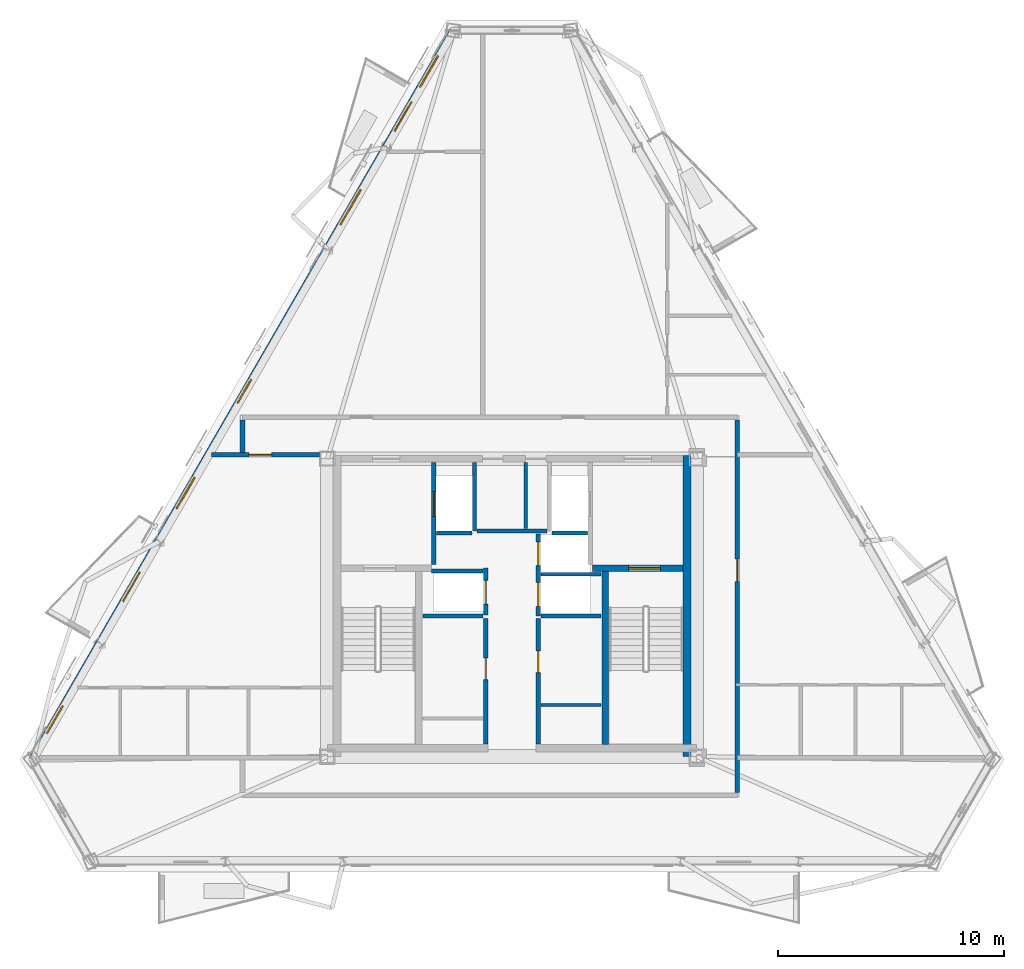
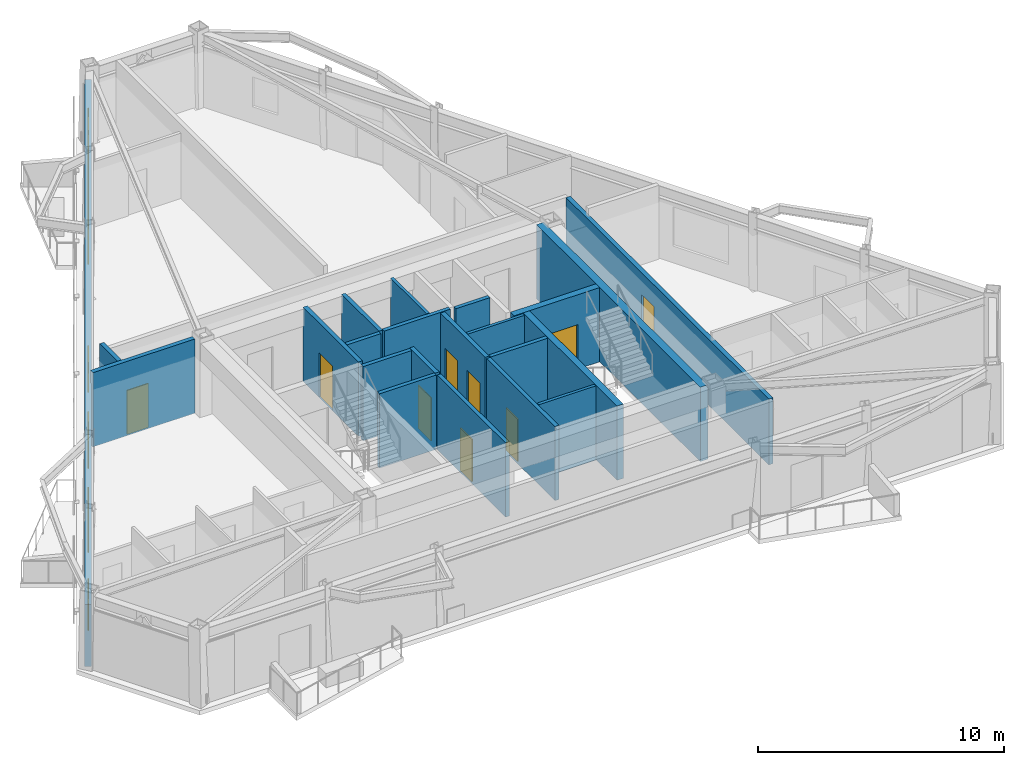
# One storey, part 3 of 9: 22 walls, 11 doors, 5 windows, 16 openings.
"""IFC4 building model written with IfcOpenShell, lengths in metres."""

import ifcopenshell
import ifcopenshell.guid

model = None  # the IFC model being written
_history = None  # IfcOwnerHistory: only IFC2X3 demands one
_inside = {}  # id of a spatial element -> (the spatial element, [elements in it])
_under = {}  # id of a project, library or spatial element -> (it, [spatial elements below it])
_declared = {}  # id of a project -> (the project, [libraries it declares])
_typed = {}  # id of a type object -> (the type object, [elements of that type])
_made_of = {}  # id of a material, layer set ... -> (it, [elements and type objects made of it])


def new_model(schema):
    """Start an empty IFC model of exactly this schema.

    Asked for "IFC4X3", IfcOpenShell would pick the latest addendum, in which some entities
    have other attributes; the version numbers below select the first issue.
    IFC2X3 requires an IfcOwnerHistory on every rooted entity: one is made here for all.
    """
    global model, _history
    if schema == "IFC4X3":
        model = ifcopenshell.file(schema_version=(4, 3, 0, 0))
    else:
        model = ifcopenshell.file(schema=schema)
    _inside.clear()
    _under.clear()
    _declared.clear()
    _typed.clear()
    _made_of.clear()
    _history = None
    if model.schema == "IFC2X3":
        org = make("IfcOrganization", Name="unknown")
        user = make(
            "IfcPersonAndOrganization",
            ThePerson=make("IfcPerson", FamilyName="unknown"),
            TheOrganization=org,
        )
        app = make(
            "IfcApplication",
            ApplicationDeveloper=org,
            Version="unknown",
            ApplicationFullName="unknown",
            ApplicationIdentifier="unknown",
        )
        _history = make(
            "IfcOwnerHistory",
            OwningUser=user,
            OwningApplication=app,
            ChangeAction="ADDED",
            CreationDate=0,
        )
    return model


def make(cls, **values):
    """One entity of the class cls with the attributes given. An attribute that is None is left unset."""
    return model.create_entity(
        cls, **{name: value for name, value in values.items() if value is not None}
    )


def rooted(cls, **values):
    """An entity with a GlobalId (a new one), such as an element, a storey or a relation."""
    return make(cls, GlobalId=ifcopenshell.guid.new(), OwnerHistory=_history, **values)


def si_unit(unit_type, name, prefix=None):
    """IfcSIUnit, for example si_unit("LENGTHUNIT", "METRE", prefix="MILLI")."""
    return make("IfcSIUnit", UnitType=unit_type, Prefix=prefix, Name=name)


def assignment(units):
    """IfcUnitAssignment: the units of a project."""
    return None if units is None else make("IfcUnitAssignment", Units=units)


def point(xyz):
    """IfcCartesianPoint."""
    return None if xyz is None else make("IfcCartesianPoint", Coordinates=xyz)


def direction(xyz):
    """IfcDirection."""
    return None if xyz is None else make("IfcDirection", DirectionRatios=xyz)


def frame(location, z_axis=None, x_axis=None):
    """IfcAxis2Placement3D, a coordinate frame: its origin and axes. An axis left out is left unset."""
    return make(
        "IfcAxis2Placement3D",
        Location=point(location),
        Axis=direction(z_axis),
        RefDirection=direction(x_axis),
    )


def frame_2d(location, x_axis=None):
    """IfcAxis2Placement2D, a coordinate frame in the plane: its origin and x axis."""
    return make(
        "IfcAxis2Placement2D", Location=point(location), RefDirection=direction(x_axis)
    )


def origin():
    """The frame at (0, 0, 0) with its axes left unset."""
    return frame((0.0, 0.0, 0.0))


def place(relative_to, where):
    """IfcLocalPlacement: puts the frame where relative to a parent placement (None: the world)."""
    return make(
        "IfcLocalPlacement", PlacementRelTo=relative_to, RelativePlacement=where
    )


def context(
    kind, dimensions, precision=None, world=None, true_north=None, identifier=None
):
    """IfcGeometricRepresentationContext, for example the 3D "Model" context."""
    return make(
        "IfcGeometricRepresentationContext",
        ContextIdentifier=identifier,
        ContextType=kind,
        CoordinateSpaceDimension=dimensions,
        Precision=precision,
        WorldCoordinateSystem=world,
        TrueNorth=true_north,
    )


def subcontext(parent, identifier, kind, view, scale=None):
    """IfcGeometricRepresentationSubContext, for example "Body" below "Model"."""
    return make(
        "IfcGeometricRepresentationSubContext",
        ContextIdentifier=identifier,
        ContextType=kind,
        ParentContext=parent,
        TargetScale=scale,
        TargetView=view,
    )


def project(units=None, contexts=None):
    """IfcProject with its units and contexts."""
    return rooted(
        "IfcProject",
        Name="project",
        RepresentationContexts=contexts,
        UnitsInContext=assignment(units),
    )


def spatial(cls, under=None, at=None, **own):
    """A site, building, storey or space (cls), placed at a placement, below another one or the project."""
    s = rooted(cls, ObjectPlacement=at, **own)
    if under is not None:
        _under.setdefault(under.id(), (under, []))[1].append(s)
    return s


def profile(cls, at=None, kind="AREA", **sizes):
    """A parametric profile (cls). Its sizes go by their IFC names, for example OverallWidth=200.0."""
    return make(cls, ProfileType=kind, Position=at, **sizes)


def rectangle(**sizes):
    """IfcRectangleProfileDef."""
    return profile("IfcRectangleProfileDef", **sizes)


def extrude(swept, where, along, depth):
    """IfcExtrudedAreaSolid: the profile swept, set in the frame where, extruded along a direction by depth."""
    return make(
        "IfcExtrudedAreaSolid",
        SweptArea=swept,
        Position=where,
        ExtrudedDirection=direction(along),
        Depth=depth,
    )


def shape(context_of_items, identifier, shape_type, items):
    """IfcShapeRepresentation: the items that make up one representation, for example the "Body"."""
    return make(
        "IfcShapeRepresentation",
        ContextOfItems=context_of_items,
        RepresentationIdentifier=identifier,
        RepresentationType=shape_type,
        Items=items,
    )


def material(Name=None, Category=None):
    """IfcMaterial."""
    return make("IfcMaterial", Name=Name, Category=Category)


def layer(
    of_material, thickness, ventilated=None, Name=None, Category=None, Priority=None
):
    """IfcMaterialLayer: one layer of a wall or slab, of a material (None: an air gap)."""
    return make(
        "IfcMaterialLayer",
        Material=of_material,
        LayerThickness=thickness,
        IsVentilated=ventilated,
        Name=Name,
        Category=Category,
        Priority=Priority,
    )


def layer_set(layers, Name=None):
    """IfcMaterialLayerSet."""
    return make("IfcMaterialLayerSet", MaterialLayers=layers, LayerSetName=Name)


def made_of(thing, what):
    """Note that an element or type object is made of a material, layer set ...; save() writes the relation."""
    if what is not None:
        _made_of.setdefault(what.id(), (what, []))[1].append(thing)
    return thing


def type_object(cls, material=None, **own):
    """A type object (cls), such as IfcWallType, which elements share."""
    return made_of(rooted(cls, **own), material)


def element(
    cls,
    number,
    at=None,
    inside=None,
    cuts=None,
    type_object=None,
    material=None,
    context=None,
    identifier="Body",
    shape_type=None,
    held_by="IfcProductDefinitionShape",
    body=None,
    shapes=None,
    **own,
):
    """One element of the class cls, such as IfcWall. Its Tag is "e" and its number.

    at: its placement. inside: the storey or other place that contains it. cuts: it is an
    opening in that element (IfcRelVoidsElement). A single representation is given by context,
    identifier, shape_type and body (its items); several are given by shapes. held_by: the class
    of the entity that holds the representations. save() writes the other relations.
    """
    e = rooted(cls, Tag="e%d" % number, ObjectPlacement=at, **own)
    if body is not None:
        shapes = [shape(context, identifier, shape_type, body)]
    if shapes is not None:
        e.Representation = make(held_by, Representations=shapes)
    if inside is not None:
        _inside.setdefault(inside.id(), (inside, []))[1].append(e)
    if cuts is not None:
        rooted(
            "IfcRelVoidsElement", RelatingBuildingElement=cuts, RelatedOpeningElement=e
        )
    if type_object is not None:
        _typed.setdefault(type_object.id(), (type_object, []))[1].append(e)
    return made_of(e, material)


def fill(opening, filler):
    """IfcRelFillsElement: the door or window that sits in an opening."""
    return rooted(
        "IfcRelFillsElement",
        RelatingOpeningElement=opening,
        RelatedBuildingElement=filler,
    )


def aggregate(whole, parts):
    """IfcRelAggregates: a whole, such as a stair, and the parts it consists of."""
    return rooted("IfcRelAggregates", RelatingObject=whole, RelatedObjects=parts)


def save(model, path):
    """Write the relations noted so far, then the file.

    IfcRelAggregates (storeys below a building ...), IfcRelContainedInSpatialStructure (elements
    in a storey), IfcRelDefinesByType, IfcRelAssociatesMaterial and IfcRelDeclares: one each for
    every whole, place, type object, material and project.
    """
    for whole, parts in _under.values():
        aggregate(whole, parts)
    for where, things in _inside.values():
        rooted(
            "IfcRelContainedInSpatialStructure",
            RelatedElements=things,
            RelatingStructure=where,
        )
    for kind, things in _typed.values():
        rooted("IfcRelDefinesByType", RelatedObjects=things, RelatingType=kind)
    for what, things in _made_of.values():
        rooted("IfcRelAssociatesMaterial", RelatedObjects=things, RelatingMaterial=what)
    for by, libraries in _declared.values():
        rooted("IfcRelDeclares", RelatingContext=by, RelatedDefinitions=libraries)
    model.write(path)


model = new_model("IFC4")

# Units and contexts
model_context = context("Model", 3, precision=1e-05, world=origin(), true_north=direction((0.0, 1.0)))
body_context = subcontext(model_context, "Body", "Model", "MODEL_VIEW")
ifc_project = project(units=[si_unit("LENGTHUNIT", "METRE"), si_unit("AREAUNIT", "SQUARE_METRE"), si_unit("VOLUMEUNIT", "CUBIC_METRE"), si_unit("PLANEANGLEUNIT", "RADIAN"), si_unit("MASSUNIT", "GRAM", prefix="KILO")], contexts=[model_context])

# Site, building, storey
site_placement = place(None, origin())
site = spatial("IfcSite", under=ifc_project, at=site_placement, CompositionType="ELEMENT")
building_placement = place(site_placement, origin())
building = spatial("IfcBuilding", under=site, at=building_placement, Name="Oramaril Tower", CompositionType="ELEMENT")
storey_placement = place(building_placement, frame((0.0, 0.0, 257.699951171875)))
storey = spatial("IfcBuildingStorey", under=building, at=storey_placement, Name="L68", CompositionType="ELEMENT", Elevation=257.699951171875)

# Wall, openings, doors, windows
ifc_material_1 = material(Name="Warm Cream Limestone", Category="masonry")
ifc_layer_1 = layer(ifc_material_1, 0.2900390625)
ifc_layer_set_1 = layer_set([ifc_layer_1], Name="WT-EXT29")
wall_type_1 = type_object("IfcWallType", Name="WT-EXT29", PredefinedType="SOLIDWALL", material=ifc_layer_set_1)
wall_1_placement = place(storey_placement, frame((34.88330078125, 43.060302734375, 0.0), z_axis=(0.0, 0.0, 1.0), x_axis=(-0.500001564453, -0.866024500545, 0.0)))
wall_1 = element("IfcWall", 1, at=wall_1_placement, inside=storey, type_object=wall_type_1, Name="L68 Tower Limestone Facade Wall 6M", PredefinedType="SOLIDWALL", context=body_context, shape_type="SweptSolid", body=[
    extrude(rectangle(XDim=37.15185546875, YDim=0.2900390625, at=frame_2d((18.575927734375, 0.0))), origin(), (0.0, 0.0, 1.0), 3.05810546875),
])
opening_1_placement = place(wall_1_placement, frame((3.639404296875, 0.0, 0.0)))
opening_1 = element("IfcOpeningElement", 2, at=opening_1_placement, cuts=wall_1, Name="Opening D-L68-BAL-NW1", PredefinedType="OPENING", context=body_context, shape_type="SweptSolid", body=[
    extrude(rectangle(XDim=1.5, YDim=2.199951171875, at=frame_2d((0.75, 1.10009765625))), frame((0.0, 0.14501953125, 0.0), z_axis=(0.0, -1.0, 0.0), x_axis=(1.0, 0.0, 0.0)), (0.0, 0.0, 1.0), 0.2900390625),
])
opening_2_placement = place(wall_1_placement, frame((27.6171875, 0.0, 0.0)))
opening_2 = element("IfcOpeningElement", 3, at=opening_2_placement, cuts=wall_1, Name="Opening D-L68-BAL-NW2", PredefinedType="OPENING", context=body_context, shape_type="SweptSolid", body=[
    extrude(rectangle(XDim=1.5, YDim=2.199951171875, at=frame_2d((0.75, 1.10009765625))), frame((0.0, 0.14501953125, 0.0), z_axis=(0.0, -1.0, 0.0), x_axis=(1.0, 0.0, 0.0)), (0.0, 0.0, 1.0), 0.2900390625),
])
opening_3_placement = place(wall_1_placement, frame((22.781494140625, 0.0, 0.85009765625)))
opening_3 = element("IfcOpeningElement", 4, at=opening_3_placement, cuts=wall_1, Name="Opening WN-07", PredefinedType="OPENING", context=body_context, shape_type="SweptSolid", body=[
    extrude(rectangle(XDim=1.60009765625, YDim=1.699951171875, at=frame_2d((0.800048828125, 0.85009765625))), frame((0.0, 0.14501953125, 0.0), z_axis=(0.0, -1.0, 0.0), x_axis=(1.0, 0.0, 0.0)), (0.0, 0.0, 1.0), 0.2900390625),
])
opening_4_placement = place(wall_1_placement, frame((34.440185546875, 0.0, 0.85009765625)))
opening_4 = element("IfcOpeningElement", 5, at=opening_4_placement, cuts=wall_1, Name="Opening WN-08", PredefinedType="OPENING", context=body_context, shape_type="SweptSolid", body=[
    extrude(rectangle(XDim=1.39990234375, YDim=1.60009765625, at=frame_2d((0.699951171875, 0.800048828125))), frame((0.0, 0.14501953125, 0.0), z_axis=(0.0, -1.0, 0.0), x_axis=(1.0, 0.0, 0.0)), (0.0, 0.0, 1.0), 0.2900390625),
])
opening_5_placement = place(wall_1_placement, frame((8.125, 0.0, 0.85009765625)))
opening_5 = element("IfcOpeningElement", 6, at=opening_5_placement, cuts=wall_1, Name="Opening WN-06", PredefinedType="OPENING", context=body_context, shape_type="SweptSolid", body=[
    extrude(rectangle(XDim=1.800048828125, YDim=1.75, at=frame_2d((0.89990234375, 0.875))), frame((0.0, 0.14501953125, 0.0), z_axis=(0.0, -1.0, 0.0), x_axis=(1.0, 0.0, 0.0)), (0.0, 0.0, 1.0), 0.2900390625),
])
opening_6_placement = place(wall_1_placement, frame((17.7919921875, 0.0, 0.85009765625)))
opening_6 = element("IfcOpeningElement", 7, at=opening_6_placement, cuts=wall_1, Name="Opening WN-09", PredefinedType="OPENING", context=body_context, shape_type="SweptSolid", body=[
    extrude(rectangle(XDim=1.199951171875, YDim=1.47998046875, at=frame_2d((0.60009765625, 0.739990234375))), frame((0.0, 0.14501953125, 0.0), z_axis=(0.0, -1.0, 0.0), x_axis=(1.0, 0.0, 0.0)), (0.0, 0.0, 1.0), 0.2900390625),
])
opening_7_placement = place(wall_1_placement, frame((1.29248046875, 0.0, 0.85009765625)))
opening_7 = element("IfcOpeningElement", 8, at=opening_7_placement, cuts=wall_1, Name="Opening WN-07", PredefinedType="OPENING", context=body_context, shape_type="SweptSolid", body=[
    extrude(rectangle(XDim=1.60009765625, YDim=1.699951171875, at=frame_2d((0.800048828125, 0.85009765625))), frame((0.0, 0.14501953125, 0.0), z_axis=(0.0, -1.0, 0.0), x_axis=(1.0, 0.0, 0.0)), (0.0, 0.0, 1.0), 0.2900390625),
])
ifc_material_2 = material(Name="Anodised Aluminium 6063-T6", Category="aluminium")
door_type_1 = type_object("IfcDoorType", Name="DT-BAL", OperationType="NOTDEFINED", PredefinedType="DOOR", material=ifc_material_2)
door_1_placement = place(opening_1_placement, origin())
door_1 = element("IfcDoor", 9, at=door_1_placement, inside=storey, type_object=door_type_1, Name="L68 Balcony Glazed Door L68-BAL-NW1", OperationType="SINGLE_SWING_LEFT", OverallHeight=2.199951171875, OverallWidth=1.5, PredefinedType="DOOR", context=body_context, shape_type="SweptSolid", body=[
    extrude(rectangle(XDim=1.5, YDim=2.199951171875, at=frame_2d((0.75, 1.10009765625))), frame((0.0, 0.02490234375, 0.0), z_axis=(0.0, -1.0, 0.0), x_axis=(1.0, 0.0, 0.0)), (0.0, 0.0, 1.0), 0.050048828125),
])
fill(opening_1, door_1)
door_2_placement = place(opening_2_placement, origin())
door_2 = element("IfcDoor", 10, at=door_2_placement, inside=storey, type_object=door_type_1, Name="L68 Balcony Glazed Door L68-BAL-NW2", OperationType="SINGLE_SWING_RIGHT", OverallHeight=2.199951171875, OverallWidth=1.5, PredefinedType="DOOR", context=body_context, shape_type="SweptSolid", body=[
    extrude(rectangle(XDim=1.5, YDim=2.199951171875, at=frame_2d((0.75, 1.10009765625))), frame((0.0, 0.02490234375, 0.0), z_axis=(0.0, -1.0, 0.0), x_axis=(1.0, 0.0, 0.0)), (0.0, 0.0, 1.0), 0.050048828125),
])
fill(opening_2, door_2)
ifc_material_3 = material(Name="Coastal Low-E Insulated Glass", Category="glass")
window_type_1 = type_object("IfcWindowType", Name="WNT-06", PartitioningType="SINGLE_PANEL", PredefinedType="WINDOW", material=ifc_material_3)
window_1_placement = place(opening_5_placement, origin())
window_1 = element("IfcWindow", 11, at=window_1_placement, inside=storey, type_object=window_type_1, Name="L68 Chicago Bay Window WN-06", OverallHeight=1.75, OverallWidth=1.800048828125, PartitioningType="SINGLE_PANEL", PredefinedType="WINDOW", context=body_context, shape_type="SweptSolid", body=[
    extrude(rectangle(XDim=1.800048828125, YDim=1.75, at=frame_2d((0.89990234375, 0.875))), frame((0.0, 0.030029296875, 0.0), z_axis=(0.0, -1.0, 0.0), x_axis=(1.0, 0.0, 0.0)), (0.0, 0.0, 1.0), 0.06005859375),
])
fill(opening_5, window_1)
ifc_material_4 = material(Name="Coastal Low-E Insulated Glass", Category="glass")
window_type_2 = type_object("IfcWindowType", Name="WNT-07", PartitioningType="SINGLE_PANEL", PredefinedType="WINDOW", material=ifc_material_4)
window_2_placement = place(opening_3_placement, origin())
window_2 = element("IfcWindow", 12, at=window_2_placement, inside=storey, type_object=window_type_2, Name="L68 Chicago Bay Window WN-07", OverallHeight=1.699951171875, OverallWidth=1.60009765625, PartitioningType="SINGLE_PANEL", PredefinedType="WINDOW", context=body_context, shape_type="SweptSolid", body=[
    extrude(rectangle(XDim=1.60009765625, YDim=1.699951171875, at=frame_2d((0.800048828125, 0.85009765625))), frame((0.0, 0.030029296875, 0.0), z_axis=(0.0, -1.0, 0.0), x_axis=(1.0, 0.0, 0.0)), (0.0, 0.0, 1.0), 0.06005859375),
])
fill(opening_3, window_2)
window_3_placement = place(opening_7_placement, origin())
window_3 = element("IfcWindow", 13, at=window_3_placement, inside=storey, type_object=window_type_2, Name="L68 Chicago Bay Window WN-07", OverallHeight=1.699951171875, OverallWidth=1.60009765625, PartitioningType="SINGLE_PANEL", PredefinedType="WINDOW", context=body_context, shape_type="SweptSolid", body=[
    extrude(rectangle(XDim=1.60009765625, YDim=1.699951171875, at=frame_2d((0.800048828125, 0.85009765625))), frame((0.0, 0.030029296875, 0.0), z_axis=(0.0, -1.0, 0.0), x_axis=(1.0, 0.0, 0.0)), (0.0, 0.0, 1.0), 0.06005859375),
])
fill(opening_7, window_3)
ifc_material_5 = material(Name="Coastal Low-E Insulated Glass", Category="glass")
window_type_3 = type_object("IfcWindowType", Name="WNT-08", PartitioningType="SINGLE_PANEL", PredefinedType="WINDOW", material=ifc_material_5)
window_4_placement = place(opening_4_placement, origin())
window_4 = element("IfcWindow", 14, at=window_4_placement, inside=storey, type_object=window_type_3, Name="L68 Chicago Bay Window WN-08", OverallHeight=1.60009765625, OverallWidth=1.39990234375, PartitioningType="SINGLE_PANEL", PredefinedType="WINDOW", context=body_context, shape_type="SweptSolid", body=[
    extrude(rectangle(XDim=1.39990234375, YDim=1.60009765625, at=frame_2d((0.699951171875, 0.800048828125))), frame((0.0, 0.030029296875, 0.0), z_axis=(0.0, -1.0, 0.0), x_axis=(1.0, 0.0, 0.0)), (0.0, 0.0, 1.0), 0.06005859375),
])
fill(opening_4, window_4)
ifc_material_6 = material(Name="Coastal Low-E Insulated Glass", Category="glass")
window_type_4 = type_object("IfcWindowType", Name="WNT-09", PartitioningType="SINGLE_PANEL", PredefinedType="WINDOW", material=ifc_material_6)
window_5_placement = place(opening_6_placement, origin())
window_5 = element("IfcWindow", 15, at=window_5_placement, inside=storey, type_object=window_type_4, Name="L68 Chicago Bay Window WN-09", OverallHeight=1.47998046875, OverallWidth=1.199951171875, PartitioningType="SINGLE_PANEL", PredefinedType="WINDOW", context=body_context, shape_type="SweptSolid", body=[
    extrude(rectangle(XDim=1.199951171875, YDim=1.47998046875, at=frame_2d((0.60009765625, 0.739990234375))), frame((0.0, 0.030029296875, 0.0), z_axis=(0.0, -1.0, 0.0), x_axis=(1.0, 0.0, 0.0)), (0.0, 0.0, 1.0), 0.06005859375),
])
fill(opening_6, window_5)

# Walls
ifc_material_7 = material(Name="Acoustic Gypsum Board Partition")
ifc_layer_2 = layer(ifc_material_7, 0.139892578125)
ifc_layer_set_2 = layer_set([ifc_layer_2], Name="WT-PT14")
wall_type_2 = type_object("IfcWallType", Name="WT-PT14", PredefinedType="PARTITIONING", material=ifc_layer_set_2)
for number, where, z_axis, x_axis, name in (
    (16, (38.780029296875, 19.050048828125, 0.0), (0.0, 0.0, 1.0), (1.0, 0.0, 0.0), "L68 High-Rise Lift H2-H3 Divider"),
    (17, (38.780029296875, 13.280029296875, 0.0), (0.0, 0.0, 1.0), (1.0, 0.0, 0.0), "L68 Freed Shaft South Closure"),
):
    element("IfcWall", number, at=place(storey_placement, frame(where, z_axis=z_axis, x_axis=x_axis)), inside=storey, type_object=wall_type_2, Name=name, PredefinedType="PARTITIONING", context=body_context, shape_type="SweptSolid", body=[
        extrude(rectangle(XDim=2.659912109375, YDim=0.139892578125, at=frame_2d((1.330078125, 0.0))), origin(), (0.0, 0.0, 1.0), 3.679931640625),
    ])
wall_2_placement = place(storey_placement, frame((38.110107421875, 21.06005859375, 0.0), z_axis=(0.0, 0.0, 1.0), x_axis=(0.0, 1.0, 0.0)))
element("IfcWall", 18, at=wall_2_placement, inside=storey, type_object=wall_type_2, Name="L68 Core Service Divider", PredefinedType="PARTITIONING", context=body_context, shape_type="SweptSolid", body=[
    extrude(rectangle(XDim=2.919921875, YDim=0.139892578125, at=frame_2d((1.4599609375, 0.0))), origin(), (0.0, 0.0, 1.0), 3.679931640625),
])
ifc_material_8 = material(Name="Autoclaved Cellular Concrete Block", Category="concrete")
ifc_layer_3 = layer(ifc_material_8, 0.179931640625)
ifc_layer_set_3 = layer_set([ifc_layer_3], Name="WT-PT18")
wall_type_3 = type_object("IfcWallType", Name="WT-PT18", PredefinedType="PARTITIONING", material=ifc_layer_set_3)
wall_3_placement = place(storey_placement, frame((35.840087890625, 20.9599609375, 0.0), z_axis=(0.0, 0.0, 1.0), x_axis=(0.0, 1.0, 0.0)))
element("IfcWall", 19, at=wall_3_placement, inside=storey, type_object=wall_type_3, Name="L68 FL-1 East Shaft Wall", PredefinedType="PARTITIONING", context=body_context, shape_type="SweptSolid", body=[
    extrude(rectangle(XDim=3.02001953125, YDim=0.179931640625, at=frame_2d((1.510009765625, 0.0))), origin(), (0.0, 0.0, 1.0), 3.679931640625),
])
for number, where, z_axis, x_axis, name in (
    (20, (34.159912109375, 20.860107421875, 0.0), (0.0, 0.0, 1.0), (1.0, 0.0, 0.0), "L68 FL-1 South Shaft Wall"),
    (21, (39.260009765625, 20.860107421875, 0.0), (0.0, 0.0, 1.0), (1.0, 0.0, 0.0), "L68 FL-2 South Shaft Wall"),
):
    element("IfcWall", number, at=place(storey_placement, frame(where, z_axis=z_axis, x_axis=x_axis)), inside=storey, type_object=wall_type_3, Name=name, PredefinedType="PARTITIONING", context=body_context, shape_type="SweptSolid", body=[
        extrude(rectangle(XDim=1.580078125, YDim=0.179931640625, at=frame_2d((0.7900390625, 0.0))), origin(), (0.0, 0.0, 1.0), 3.679931640625),
    ])
wall_4_placement = place(storey_placement, frame((33.949951171875, 19.199951171875, 0.0), z_axis=(0.0, 0.0, 1.0), x_axis=(1.0, 0.0, 0.0)))
element("IfcWall", 22, at=wall_4_placement, inside=storey, type_object=wall_type_3, Name="L68 High-Rise Lift H1 North Shaft Wall", PredefinedType="PARTITIONING", context=body_context, shape_type="SweptSolid", body=[
    extrude(rectangle(XDim=2.27001953125, YDim=0.179931640625, at=frame_2d((1.135009765625, 0.0))), origin(), (0.0, 0.0, 1.0), 3.679931640625),
])
wall_5_placement = place(storey_placement, frame((33.56005859375, 17.199951171875, 0.0), z_axis=(0.0, 0.0, 1.0), x_axis=(1.0, 0.0, 0.0)))
element("IfcWall", 23, at=wall_5_placement, inside=storey, type_object=wall_type_3, Name="L68 High-Rise Lift H1 South Wall", PredefinedType="PARTITIONING", context=body_context, shape_type="SweptSolid", body=[
    extrude(rectangle(XDim=2.659912109375, YDim=0.179931640625, at=frame_2d((1.330078125, 0.0))), origin(), (0.0, 0.0, 1.0), 3.679931640625),
])

# Wall, opening, door
wall_6_placement = place(storey_placement, frame((36.340087890625, 11.550048828125, 0.0), z_axis=(0.0, 0.0, 1.0), x_axis=(0.0, 1.0, 0.0)))
wall_6 = element("IfcWall", 24, at=wall_6_placement, inside=storey, type_object=wall_type_3, Name="L68 Freed Shaft Study East Wall", PredefinedType="PARTITIONING", context=body_context, shape_type="SweptSolid", body=[
    extrude(rectangle(XDim=5.550048828125, YDim=0.179931640625, at=frame_2d((2.77490234375, 0.0))), origin(), (0.0, 0.0, 1.0), 3.679931640625),
])
opening_8_placement = place(wall_6_placement, frame((2.85009765625, 0.0, 0.0)))
opening_8 = element("IfcOpeningElement", 25, at=opening_8_placement, cuts=wall_6, Name="Opening D-L68-FL1", PredefinedType="OPENING", context=body_context, shape_type="SweptSolid", body=[
    extrude(rectangle(XDim=0.949951171875, YDim=2.10009765625, at=frame_2d((0.47509765625, 1.050048828125))), frame((0.0, 0.08984375, 0.0), z_axis=(0.0, -1.0, 0.0), x_axis=(1.0, 0.0, 0.0)), (0.0, 0.0, 1.0), 0.179931640625),
])
ifc_material_9 = material(Name="FSC Brazilian Freijo Hardwood", Category="wood")
door_type_2 = type_object("IfcDoorType", Name="DT-STDY", OperationType="NOTDEFINED", PredefinedType="DOOR", material=ifc_material_9)
door_3_placement = place(opening_8_placement, origin())
door_3 = element("IfcDoor", 26, at=door_3_placement, inside=storey, type_object=door_type_2, Name="L68 L68 Residents Library Study Door", OperationType="SINGLE_SWING_LEFT", OverallHeight=2.10009765625, OverallWidth=0.949951171875, PredefinedType="DOOR", context=body_context, shape_type="SweptSolid", body=[
    extrude(rectangle(XDim=0.949951171875, YDim=2.10009765625, at=frame_2d((0.47509765625, 1.050048828125))), frame((0.0, 0.02490234375, 0.0), z_axis=(0.0, -1.0, 0.0), x_axis=(1.0, 0.0, 0.0)), (0.0, 0.0, 1.0), 0.050048828125),
])
fill(opening_8, door_3)

# Wall
wall_7_placement = place(storey_placement, frame((38.780029296875, 17.199951171875, 0.0), z_axis=(0.0, 0.0, 1.0), x_axis=(1.0, 0.0, 0.0)))
element("IfcWall", 27, at=wall_7_placement, inside=storey, type_object=wall_type_3, Name="L68 High-Rise Lift H2 South Wall", PredefinedType="PARTITIONING", context=body_context, shape_type="SweptSolid", body=[
    extrude(rectangle(XDim=2.659912109375, YDim=0.179931640625, at=frame_2d((1.330078125, 0.0))), origin(), (0.0, 0.0, 1.0), 3.679931640625),
])

# Wall, opening, door
wall_8_placement = place(storey_placement, frame((38.659912109375, 11.550048828125, 0.0), z_axis=(0.0, 0.0, 1.0), x_axis=(0.0, 1.0, 0.0)))
wall_8 = element("IfcWall", 28, at=wall_8_placement, inside=storey, type_object=wall_type_3, Name="L68 Freed Shaft Alcove West Wall", PredefinedType="PARTITIONING", context=body_context, shape_type="SweptSolid", body=[
    extrude(rectangle(XDim=5.550048828125, YDim=0.179931640625, at=frame_2d((2.77490234375, 0.0))), origin(), (0.0, 0.0, 1.0), 3.679931640625),
])
opening_9_placement = place(wall_8_placement, frame((3.14990234375, 0.0, 0.0)))
opening_9 = element("IfcOpeningElement", 29, at=opening_9_placement, cuts=wall_8, Name="Opening D-L68-FM1", PredefinedType="OPENING", context=body_context, shape_type="SweptSolid", body=[
    extrude(rectangle(XDim=0.949951171875, YDim=2.10009765625, at=frame_2d((0.47509765625, 1.050048828125))), frame((0.0, 0.08984375, 0.0), z_axis=(0.0, -1.0, 0.0), x_axis=(1.0, 0.0, 0.0)), (0.0, 0.0, 1.0), 0.179931640625),
])
door_4_placement = place(opening_9_placement, origin())
door_4 = element("IfcDoor", 30, at=door_4_placement, inside=storey, type_object=door_type_2, Name="L68 L68 Sky Consulting Office Door", OperationType="SINGLE_SWING_RIGHT", OverallHeight=2.10009765625, OverallWidth=0.949951171875, PredefinedType="DOOR", context=body_context, shape_type="SweptSolid", body=[
    extrude(rectangle(XDim=0.949951171875, YDim=2.10009765625, at=frame_2d((0.47509765625, 1.050048828125))), frame((0.0, 0.02490234375, 0.0), z_axis=(0.0, -1.0, 0.0), x_axis=(1.0, 0.0, 0.0)), (0.0, 0.0, 1.0), 0.050048828125),
])
fill(opening_9, door_4)

# Wall
wall_9_placement = place(storey_placement, frame((35.949951171875, 20.949951171875, 0.0), z_axis=(0.0, 0.0, 1.0), x_axis=(1.0, 0.0, 0.0)))
element("IfcWall", 31, at=wall_9_placement, inside=storey, type_object=wall_type_3, Name="L68 Lift Lobby North Partition", PredefinedType="PARTITIONING", context=body_context, shape_type="SweptSolid", body=[
    extrude(rectangle(XDim=3.10009765625, YDim=0.179931640625, at=frame_2d((1.550048828125, 0.0))), origin(), (0.0, 0.0, 1.0), 3.679931640625),
])

# Wall, opening, door
ifc_material_10 = material(Name="Autoclaved Cellular Concrete Block", Category="concrete")
ifc_layer_4 = layer(ifc_material_10, 0.199951171875)
ifc_layer_set_4 = layer_set([ifc_layer_4], Name="WT-PT20")
wall_type_4 = type_object("IfcWallType", Name="WT-PT20", PredefinedType="PARTITIONING", material=ifc_layer_set_4)
wall_10_placement = place(storey_placement, frame((24.235595703125, 24.320068359375, 0.0), z_axis=(0.0, 0.0, 1.0), x_axis=(1.0, 0.0, 0.0)))
wall_10 = element("IfcWall", 32, at=wall_10_placement, inside=storey, type_object=wall_type_4, Name="L68 Interior Partition PT-20", PredefinedType="PARTITIONING", context=body_context, shape_type="SweptSolid", body=[
    extrude(rectangle(XDim=4.7744140625, YDim=0.199951171875, at=frame_2d((2.38720703125, 0.0))), origin(), (0.0, 0.0, 1.0), 3.679931640625),
])
opening_10_placement = place(wall_10_placement, frame((1.646240234375, 0.0, 0.0)))
opening_10 = element("IfcOpeningElement", 33, at=opening_10_placement, cuts=wall_10, Name="Opening D-L68-09", PredefinedType="OPENING", context=body_context, shape_type="SweptSolid", body=[
    extrude(rectangle(XDim=1.0, YDim=2.179931640625, at=frame_2d((0.5, 1.08984375))), frame((0.0, 0.10009765625, 0.0), z_axis=(0.0, -1.0, 0.0), x_axis=(1.0, 0.0, 0.0)), (0.0, 0.0, 1.0), 0.199951171875),
])
ifc_material_11 = material(Name="FSC Brazilian Freijo Hardwood", Category="wood")
door_type_3 = type_object("IfcDoorType", Name="DT-APT", OperationType="NOTDEFINED", PredefinedType="DOOR", material=ifc_material_11)
door_5_placement = place(opening_10_placement, origin())
door_5 = element("IfcDoor", 34, at=door_5_placement, inside=storey, type_object=door_type_3, Name="L68 Flat L68-U2 Penthouse Living and Dining Room Door D-L68-09", OperationType="SINGLE_SWING_RIGHT", OverallHeight=2.179931640625, OverallWidth=1.0, PredefinedType="DOOR", context=body_context, shape_type="SweptSolid", body=[
    extrude(rectangle(XDim=1.0, YDim=2.179931640625, at=frame_2d((0.5, 1.08984375))), frame((0.0, 0.02490234375, 0.0), z_axis=(0.0, -1.0, 0.0), x_axis=(1.0, 0.0, 0.0)), (0.0, 0.0, 1.0), 0.050048828125),
])
fill(opening_10, door_5)

# Wall
wall_11_placement = place(storey_placement, frame((25.60009765625, 24.424072265625, 0.0), z_axis=(0.0, 0.0, 1.0), x_axis=(0.0, 1.0, 0.0)))
element("IfcWall", 35, at=wall_11_placement, inside=storey, type_object=wall_type_4, Name="L68 Interior Partition PT-20", PredefinedType="PARTITIONING", context=body_context, shape_type="SweptSolid", body=[
    extrude(rectangle(XDim=1.44189453125, YDim=0.199951171875, at=frame_2d((0.720947265625, 0.0))), origin(), (0.0, 0.0, 1.0), 3.679931640625),
])

# Wall, opening, door
wall_12_placement = place(storey_placement, frame((47.449951171875, 9.404052734375, 0.0), z_axis=(0.0, 0.0, 1.0), x_axis=(0.0, 1.0, 0.0)))
wall_12 = element("IfcWall", 36, at=wall_12_placement, inside=storey, type_object=wall_type_4, Name="L68 Interior Partition PT-20", PredefinedType="PARTITIONING", context=body_context, shape_type="SweptSolid", body=[
    extrude(rectangle(XDim=16.4619140625, YDim=0.199951171875, at=frame_2d((8.23095703125, 0.0))), origin(), (0.0, 0.0, 1.0), 3.26611328125),
])
opening_11_placement = place(wall_12_placement, frame((9.320068359375, 0.0, 0.0)))
opening_11 = element("IfcOpeningElement", 37, at=opening_11_placement, cuts=wall_12, Name="Opening D-L68-16", PredefinedType="OPENING", context=body_context, shape_type="SweptSolid", body=[
    extrude(rectangle(XDim=1.0, YDim=2.179931640625, at=frame_2d((0.5, 1.08984375))), frame((0.0, 0.10009765625, 0.0), z_axis=(0.0, -1.0, 0.0), x_axis=(1.0, 0.0, 0.0)), (0.0, 0.0, 1.0), 0.199951171875),
])
door_6_placement = place(opening_11_placement, origin())
door_6 = element("IfcDoor", 38, at=door_6_placement, inside=storey, type_object=door_type_3, Name="L68 Flat L68-U3 Penthouse 2-Bedroom Living and Dining Room Door D-L68-16", OperationType="SINGLE_SWING_LEFT", OverallHeight=2.179931640625, OverallWidth=1.0, PredefinedType="DOOR", context=body_context, shape_type="SweptSolid", body=[
    extrude(rectangle(XDim=1.0, YDim=2.179931640625, at=frame_2d((0.5, 1.08984375))), frame((0.0, 0.02490234375, 0.0), z_axis=(0.0, -1.0, 0.0), x_axis=(1.0, 0.0, 0.0)), (0.0, 0.0, 1.0), 0.050048828125),
])
fill(opening_11, door_6)

ifc_material_12 = material(Name="Concrete C50/60", Category="concrete")
ifc_layer_5 = layer(ifc_material_12, 0.300048828125)
ifc_layer_set_5 = layer_set([ifc_layer_5], Name="WT-SH30")
wall_type_5 = type_object("IfcWallType", Name="WT-SH30", PredefinedType="SHEAR", material=ifc_layer_set_5)
wall_13_placement = place(storey_placement, frame((41.050048828125, 19.31005859375, 0.0), z_axis=(0.0, 0.0, 1.0), x_axis=(1.0, 0.0, 0.0)))
wall_13 = element("IfcWall", 39, at=wall_13_placement, inside=storey, type_object=wall_type_5, Name="L68 Core Shear Wall CW-ST2N", PredefinedType="SHEAR", context=body_context, shape_type="SweptSolid", body=[
    extrude(rectangle(XDim=4.010009765625, YDim=0.300048828125, at=frame_2d((2.0048828125, 0.0))), origin(), (0.0, 0.0, 1.0), 3.679931640625),
])
opening_12_placement = place(wall_13_placement, frame((1.60009765625, 0.0, 0.0)))
opening_12 = element("IfcOpeningElement", 40, at=opening_12_placement, cuts=wall_13, Name="Opening D-L68-ST2", PredefinedType="OPENING", context=body_context, shape_type="SweptSolid", body=[
    extrude(rectangle(XDim=1.39990234375, YDim=2.199951171875, at=frame_2d((0.699951171875, 1.10009765625))), frame((0.0, 0.14990234375, 0.0), z_axis=(0.0, -1.0, 0.0), x_axis=(1.0, 0.0, 0.0)), (0.0, 0.0, 1.0), 0.300048828125),
])
ifc_material_13 = material(Name="Painted Galvanised Steel", Category="steel")
door_type_4 = type_object("IfcDoorType", Name="DT-ST", OperationType="NOTDEFINED", PredefinedType="DOOR", material=ifc_material_13)
door_7_placement = place(opening_12_placement, origin())
door_7 = element("IfcDoor", 41, at=door_7_placement, inside=storey, type_object=door_type_4, Name="L68 Protected Stair ST-2 Fire Door", OperationType="SINGLE_SWING_RIGHT", OverallHeight=2.199951171875, OverallWidth=1.39990234375, PredefinedType="DOOR", context=body_context, shape_type="SweptSolid", body=[
    extrude(rectangle(XDim=1.39990234375, YDim=2.199951171875, at=frame_2d((0.699951171875, 1.10009765625))), frame((0.0, 0.02490234375, 0.0), z_axis=(0.0, -1.0, 0.0), x_axis=(1.0, 0.0, 0.0)), (0.0, 0.0, 1.0), 0.050048828125),
])
fill(opening_12, door_7)

# Walls
wall_14_placement = place(storey_placement, frame((41.6201171875, 11.5400390625, 0.0), z_axis=(0.0, 0.0, 1.0), x_axis=(0.0, 1.0, 0.0)))
element("IfcWall", 42, at=wall_14_placement, inside=storey, type_object=wall_type_5, Name="L68 Core Shear Wall CW-ST2W", PredefinedType="SHEAR", context=body_context, shape_type="SweptSolid", body=[
    extrude(rectangle(XDim=7.619873046875, YDim=0.300048828125, at=frame_2d((3.81005859375, 0.0))), origin(), (0.0, 0.0, 1.0), 3.679931640625),
])
ifc_material_14 = material(Name="Concrete C50/60", Category="concrete")
ifc_layer_6 = layer(ifc_material_14, 0.35009765625)
ifc_layer_set_6 = layer_set([ifc_layer_6], Name="WT-SH35")
wall_type_6 = type_object("IfcWallType", Name="WT-SH35", PredefinedType="SHEAR", material=ifc_layer_set_6)
wall_15_placement = place(storey_placement, frame((45.235107421875, 11.0, 0.0), z_axis=(0.0, 0.0, 1.0), x_axis=(0.0, 1.0, 0.0)))
element("IfcWall", 43, at=wall_15_placement, inside=storey, type_object=wall_type_6, Name="L68 Core Shear Wall CW-E", PredefinedType="SHEAR", context=body_context, shape_type="SweptSolid", body=[
    extrude(rectangle(XDim=13.300048828125, YDim=0.35009765625, at=frame_2d((6.64990234375, 0.0))), origin(), (0.0, 0.0, 1.0), 3.679931640625),
])

# Wall, opening, door
ifc_material_15 = material(Name="Autoclaved Cellular Concrete Block", Category="concrete")
ifc_layer_7 = layer(ifc_material_15, 0.199951171875)
ifc_layer_set_7 = layer_set([ifc_layer_7], Name="WT-SHF20")
wall_type_7 = type_object("IfcWallType", Name="WT-SHF20", PredefinedType="PARTITIONING", material=ifc_layer_set_7)
wall_16_placement = place(storey_placement, frame((34.0400390625, 19.47998046875, 0.0), z_axis=(0.0, 0.0, 1.0), x_axis=(0.0, 1.0, 0.0)))
wall_16 = element("IfcWall", 44, at=wall_16_placement, inside=storey, type_object=wall_type_7, Name="L68 FL-1 Lobby Shaft Wall", PredefinedType="PARTITIONING", context=body_context, shape_type="SweptSolid", body=[
    extrude(rectangle(XDim=4.5, YDim=0.199951171875, at=frame_2d((2.25, 0.0))), origin(), (0.0, 0.0, 1.0), 3.679931640625),
])
opening_13_placement = place(wall_16_placement, frame((2.1201171875, 0.0, 0.0)))
opening_13 = element("IfcOpeningElement", 45, at=opening_13_placement, cuts=wall_16, Name="Opening LD-L68-FL-1", PredefinedType="OPENING", context=body_context, shape_type="SweptSolid", body=[
    extrude(rectangle(XDim=1.10009765625, YDim=2.199951171875, at=frame_2d((0.550048828125, 1.10009765625))), frame((0.0, 0.10009765625, 0.0), z_axis=(0.0, -1.0, 0.0), x_axis=(1.0, 0.0, 0.0)), (0.0, 0.0, 1.0), 0.199951171875),
])
ifc_material_16 = material(Name="Stainless Steel 316L", Category="steel")
door_type_5 = type_object("IfcDoorType", Name="DT-LD1", OperationType="NOTDEFINED", PredefinedType="DOOR", material=ifc_material_16)
door_8_placement = place(opening_13_placement, origin())
door_8 = element("IfcDoor", 46, at=door_8_placement, inside=storey, type_object=door_type_5, Name="L68 Lift FL-1 Sliding Landing Door", OperationType="SLIDING_TO_LEFT", OverallHeight=2.199951171875, OverallWidth=1.10009765625, PredefinedType="DOOR", context=body_context, shape_type="SweptSolid", body=[
    extrude(rectangle(XDim=1.10009765625, YDim=2.199951171875, at=frame_2d((0.550048828125, 1.10009765625))), frame((0.0, 0.02490234375, 0.0), z_axis=(0.0, -1.0, 0.0), x_axis=(1.0, 0.0, 0.0)), (0.0, 0.0, 1.0), 0.050048828125),
])
fill(opening_13, door_8)

wall_17_placement = place(storey_placement, frame((36.340087890625, 17.25, 0.0), z_axis=(0.0, 0.0, 1.0), x_axis=(0.0, 1.0, 0.0)))
wall_17 = element("IfcWall", 47, at=wall_17_placement, inside=storey, type_object=wall_type_7, Name="L68 High-Rise Lift H1 Front Wall", PredefinedType="PARTITIONING", context=body_context, shape_type="SweptSolid", body=[
    extrude(rectangle(XDim=2.070068359375, YDim=0.199951171875, at=frame_2d((1.03515625, 0.0))), origin(), (0.0, 0.0, 1.0), 3.679931640625),
])
opening_14_placement = place(wall_17_placement, frame((0.47509765625, 0.0, 0.0)))
opening_14 = element("IfcOpeningElement", 48, at=opening_14_placement, cuts=wall_17, Name="Opening LD-L68-LP-H1", PredefinedType="OPENING", context=body_context, shape_type="SweptSolid", body=[
    extrude(rectangle(XDim=1.050048828125, YDim=2.14990234375, at=frame_2d((0.52490234375, 1.074951171875))), frame((0.0, 0.10009765625, 0.0), z_axis=(0.0, -1.0, 0.0), x_axis=(1.0, 0.0, 0.0)), (0.0, 0.0, 1.0), 0.199951171875),
])
ifc_material_17 = material(Name="Stainless Steel 316L", Category="steel")
door_type_6 = type_object("IfcDoorType", Name="DT-LD2", OperationType="NOTDEFINED", PredefinedType="DOOR", material=ifc_material_17)
door_9_placement = place(opening_14_placement, origin())
door_9 = element("IfcDoor", 49, at=door_9_placement, inside=storey, type_object=door_type_6, Name="L68 Lift LP-H1 Sliding Landing Door", OperationType="SLIDING_TO_LEFT", OverallHeight=2.14990234375, OverallWidth=1.050048828125, PredefinedType="DOOR", context=body_context, shape_type="SweptSolid", body=[
    extrude(rectangle(XDim=1.050048828125, YDim=2.14990234375, at=frame_2d((0.52490234375, 1.074951171875))), frame((0.0, 0.02490234375, 0.0), z_axis=(0.0, -1.0, 0.0), x_axis=(1.0, 0.0, 0.0)), (0.0, 0.0, 1.0), 0.050048828125),
])
fill(opening_14, door_9)

# Wall, openings, doors
wall_18_placement = place(storey_placement, frame((38.659912109375, 17.199951171875, 0.0), z_axis=(0.0, 0.0, 1.0), x_axis=(0.0, 1.0, 0.0)))
wall_18 = element("IfcWall", 50, at=wall_18_placement, inside=storey, type_object=wall_type_7, Name="L68 High-Rise Lift H2-H3 Front Wall", PredefinedType="PARTITIONING", context=body_context, shape_type="SweptSolid", body=[
    extrude(rectangle(XDim=3.6201171875, YDim=0.199951171875, at=frame_2d((1.81005859375, 0.0))), origin(), (0.0, 0.0, 1.0), 3.679931640625),
])
opening_15_placement = place(wall_18_placement, frame((0.425048828125, 0.0, 0.0)))
opening_15 = element("IfcOpeningElement", 51, at=opening_15_placement, cuts=wall_18, Name="Opening LD-L68-LP-H2", PredefinedType="OPENING", context=body_context, shape_type="SweptSolid", body=[
    extrude(rectangle(XDim=1.050048828125, YDim=2.14990234375, at=frame_2d((0.52490234375, 1.074951171875))), frame((0.0, 0.10009765625, 0.0), z_axis=(0.0, -1.0, 0.0), x_axis=(1.0, 0.0, 0.0)), (0.0, 0.0, 1.0), 0.199951171875),
])
opening_16_placement = place(wall_18_placement, frame((2.22509765625, 0.0, 0.0)))
opening_16 = element("IfcOpeningElement", 52, at=opening_16_placement, cuts=wall_18, Name="Opening LD-L68-LP-H3", PredefinedType="OPENING", context=body_context, shape_type="SweptSolid", body=[
    extrude(rectangle(XDim=1.050048828125, YDim=2.14990234375, at=frame_2d((0.52490234375, 1.074951171875))), frame((0.0, 0.10009765625, 0.0), z_axis=(0.0, -1.0, 0.0), x_axis=(1.0, 0.0, 0.0)), (0.0, 0.0, 1.0), 0.199951171875),
])
door_10_placement = place(opening_15_placement, origin())
door_10 = element("IfcDoor", 53, at=door_10_placement, inside=storey, type_object=door_type_6, Name="L68 Lift LP-H2 Sliding Landing Door", OperationType="SLIDING_TO_RIGHT", OverallHeight=2.14990234375, OverallWidth=1.050048828125, PredefinedType="DOOR", context=body_context, shape_type="SweptSolid", body=[
    extrude(rectangle(XDim=1.050048828125, YDim=2.14990234375, at=frame_2d((0.52490234375, 1.074951171875))), frame((0.0, 0.02490234375, 0.0), z_axis=(0.0, -1.0, 0.0), x_axis=(1.0, 0.0, 0.0)), (0.0, 0.0, 1.0), 0.050048828125),
])
fill(opening_15, door_10)
door_11_placement = place(opening_16_placement, origin())
door_11 = element("IfcDoor", 54, at=door_11_placement, inside=storey, type_object=door_type_6, Name="L68 Lift LP-H3 Sliding Landing Door", OperationType="SLIDING_TO_LEFT", OverallHeight=2.14990234375, OverallWidth=1.050048828125, PredefinedType="DOOR", context=body_context, shape_type="SweptSolid", body=[
    extrude(rectangle(XDim=1.050048828125, YDim=2.14990234375, at=frame_2d((0.52490234375, 1.074951171875))), frame((0.0, 0.02490234375, 0.0), z_axis=(0.0, -1.0, 0.0), x_axis=(1.0, 0.0, 0.0)), (0.0, 0.0, 1.0), 0.050048828125),
])
fill(opening_16, door_11)

save(model, "model.ifc")
